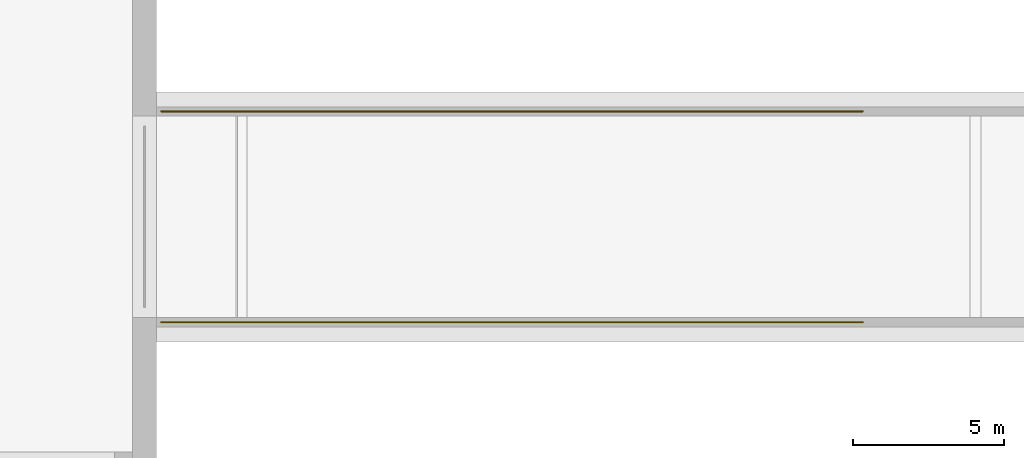
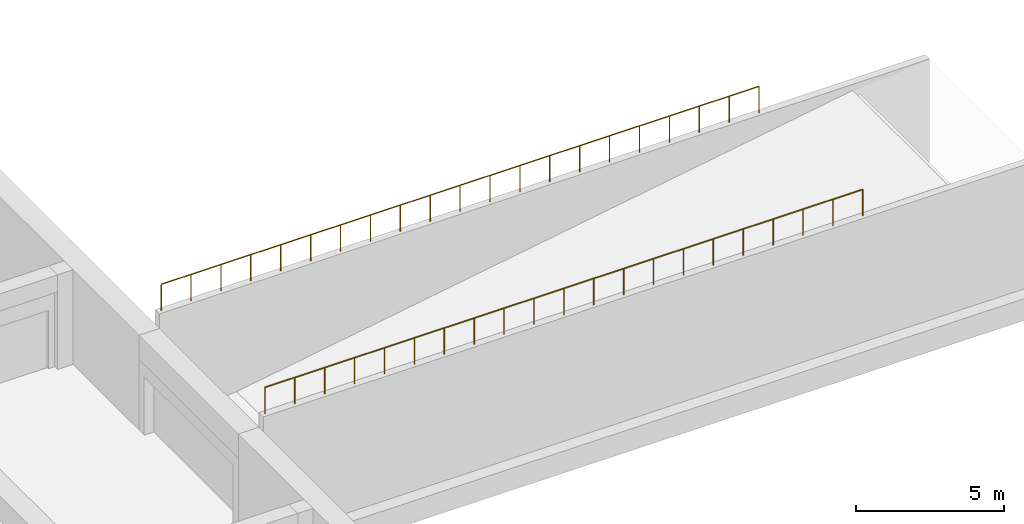
# One storey, part 21 of 23: 2 railings.
"""IFC4 building model written with IfcOpenShell, lengths in metres."""

from ifc_helpers import new_model, si_unit, direction, frame, origin, origin_2d, place, context, subcontext, project, spatial, circle, extrude, material, type_object, element, save


model = new_model("IFC4")

# Units and contexts
model_context = context("Model", 3, precision=1e-05, world=origin(), true_north=direction((0.0, 1.0)))
body_context = subcontext(model_context, "Body", "Model", "MODEL_VIEW")
ifc_project = project(units=[si_unit("LENGTHUNIT", "METRE"), si_unit("AREAUNIT", "SQUARE_METRE"), si_unit("VOLUMEUNIT", "CUBIC_METRE"), si_unit("PLANEANGLEUNIT", "RADIAN"), si_unit("MASSUNIT", "GRAM", prefix="KILO")], contexts=[model_context])

# Site, building, storey
site_placement = place(None, origin())
site = spatial("IfcSite", under=ifc_project, at=site_placement, CompositionType="ELEMENT")
building_placement = place(site_placement, origin())
building = spatial("IfcBuilding", under=site, at=building_placement, Name="Stone Belt Terrace Tower", CompositionType="ELEMENT")
storey_placement = place(building_placement, frame((0.0, 0.0, -4.5)))
storey = spatial("IfcBuildingStorey", under=building, at=storey_placement, Name="B1", CompositionType="ELEMENT", Elevation=-4.5)

# Railings
ifc_material = material(Name="Structural steel C345", Category="steel")
railing_type = type_object("IfcRailingType", Name="Car park guard 1100", PredefinedType="GUARDRAIL", material=ifc_material)
railing_1_placement = place(storey_placement, frame((56.93994140625, -29.60009765625, 4.5)))
element("IfcRailing", 1, at=railing_1_placement, inside=storey, type_object=railing_type, Name="Entrance ramp guard", PredefinedType="GUARDRAIL", context=body_context, shape_type="SweptSolid", body=[
    extrude(circle(Radius=0.02392578125, at=origin_2d()), frame((0.0, 0.0, 1.076171875), z_axis=(-1.0, 0.0, 0.0), x_axis=(0.0, -1.0, 0.0)), (0.0, 0.0, 1.0), 23.2900390625),
    extrude(circle(Radius=0.02099609375, at=origin_2d()), origin(), (0.0, 0.0, 1.0), 1.052001953125),
    extrude(circle(Radius=0.02099609375, at=origin_2d()), frame((-1.16455078125, 0.0, 0.0)), (0.0, 0.0, 1.0), 1.052001953125),
    extrude(circle(Radius=0.02099609375, at=origin_2d()), frame((-2.3291015625, 0.0, 0.0)), (0.0, 0.0, 1.0), 1.052001953125),
    extrude(circle(Radius=0.02099609375, at=origin_2d()), frame((-3.493408203125, 0.0, 0.0)), (0.0, 0.0, 1.0), 1.052001953125),
    extrude(circle(Radius=0.02099609375, at=origin_2d()), frame((-4.657958984375, 0.0, 0.0)), (0.0, 0.0, 1.0), 1.052001953125),
    extrude(circle(Radius=0.02099609375, at=origin_2d()), frame((-5.822509765625, 0.0, 0.0)), (0.0, 0.0, 1.0), 1.052001953125),
    extrude(circle(Radius=0.02099609375, at=origin_2d()), frame((-6.987060546875, 0.0, 0.0)), (0.0, 0.0, 1.0), 1.052001953125),
    extrude(circle(Radius=0.02099609375, at=origin_2d()), frame((-8.151611328125, 0.0, 0.0)), (0.0, 0.0, 1.0), 1.052001953125),
    extrude(circle(Radius=0.02099609375, at=origin_2d()), frame((-9.31591796875, 0.0, 0.0)), (0.0, 0.0, 1.0), 1.052001953125),
    extrude(circle(Radius=0.02099609375, at=origin_2d()), frame((-10.48046875, 0.0, 0.0)), (0.0, 0.0, 1.0), 1.052001953125),
    extrude(circle(Radius=0.02099609375, at=origin_2d()), frame((-11.64501953125, 0.0, 0.0)), (0.0, 0.0, 1.0), 1.052001953125),
    extrude(circle(Radius=0.02099609375, at=origin_2d()), frame((-12.8095703125, 0.0, 0.0)), (0.0, 0.0, 1.0), 1.052001953125),
    extrude(circle(Radius=0.02099609375, at=origin_2d()), frame((-13.97412109375, 0.0, 0.0)), (0.0, 0.0, 1.0), 1.052001953125),
    extrude(circle(Radius=0.02099609375, at=origin_2d()), frame((-15.138427734375, 0.0, 0.0)), (0.0, 0.0, 1.0), 1.052001953125),
    extrude(circle(Radius=0.02099609375, at=origin_2d()), frame((-16.302978515625, 0.0, 0.0)), (0.0, 0.0, 1.0), 1.052001953125),
    extrude(circle(Radius=0.02099609375, at=origin_2d()), frame((-17.467529296875, 0.0, 0.0)), (0.0, 0.0, 1.0), 1.052001953125),
    extrude(circle(Radius=0.02099609375, at=origin_2d()), frame((-18.632080078125, 0.0, 0.0)), (0.0, 0.0, 1.0), 1.052001953125),
    extrude(circle(Radius=0.02099609375, at=origin_2d()), frame((-19.796630859375, 0.0, 0.0)), (0.0, 0.0, 1.0), 1.052001953125),
    extrude(circle(Radius=0.02099609375, at=origin_2d()), frame((-20.9609375, 0.0, 0.0)), (0.0, 0.0, 1.0), 1.052001953125),
    extrude(circle(Radius=0.02099609375, at=origin_2d()), frame((-22.12548828125, 0.0, 0.0)), (0.0, 0.0, 1.0), 1.052001953125),
    extrude(circle(Radius=0.02099609375, at=origin_2d()), frame((-23.2900390625, 0.0, 0.0)), (0.0, 0.0, 1.0), 1.052001953125),
])
railing_2_placement = place(storey_placement, frame((56.93994140625, -22.60009765625, 4.5)))
element("IfcRailing", 2, at=railing_2_placement, inside=storey, type_object=railing_type, Name="Entrance ramp guard", PredefinedType="GUARDRAIL", context=body_context, shape_type="SweptSolid", body=[
    extrude(circle(Radius=0.02392578125, at=origin_2d()), frame((0.0, 0.0, 1.076171875), z_axis=(-1.0, 0.0, 0.0), x_axis=(0.0, -1.0, 0.0)), (0.0, 0.0, 1.0), 23.2900390625),
    extrude(circle(Radius=0.02099609375, at=origin_2d()), origin(), (0.0, 0.0, 1.0), 1.052001953125),
    extrude(circle(Radius=0.02099609375, at=origin_2d()), frame((-1.16455078125, 0.0, 0.0)), (0.0, 0.0, 1.0), 1.052001953125),
    extrude(circle(Radius=0.02099609375, at=origin_2d()), frame((-2.3291015625, 0.0, 0.0)), (0.0, 0.0, 1.0), 1.052001953125),
    extrude(circle(Radius=0.02099609375, at=origin_2d()), frame((-3.493408203125, 0.0, 0.0)), (0.0, 0.0, 1.0), 1.052001953125),
    extrude(circle(Radius=0.02099609375, at=origin_2d()), frame((-4.657958984375, 0.0, 0.0)), (0.0, 0.0, 1.0), 1.052001953125),
    extrude(circle(Radius=0.02099609375, at=origin_2d()), frame((-5.822509765625, 0.0, 0.0)), (0.0, 0.0, 1.0), 1.052001953125),
    extrude(circle(Radius=0.02099609375, at=origin_2d()), frame((-6.987060546875, 0.0, 0.0)), (0.0, 0.0, 1.0), 1.052001953125),
    extrude(circle(Radius=0.02099609375, at=origin_2d()), frame((-8.151611328125, 0.0, 0.0)), (0.0, 0.0, 1.0), 1.052001953125),
    extrude(circle(Radius=0.02099609375, at=origin_2d()), frame((-9.31591796875, 0.0, 0.0)), (0.0, 0.0, 1.0), 1.052001953125),
    extrude(circle(Radius=0.02099609375, at=origin_2d()), frame((-10.48046875, 0.0, 0.0)), (0.0, 0.0, 1.0), 1.052001953125),
    extrude(circle(Radius=0.02099609375, at=origin_2d()), frame((-11.64501953125, 0.0, 0.0)), (0.0, 0.0, 1.0), 1.052001953125),
    extrude(circle(Radius=0.02099609375, at=origin_2d()), frame((-12.8095703125, 0.0, 0.0)), (0.0, 0.0, 1.0), 1.052001953125),
    extrude(circle(Radius=0.02099609375, at=origin_2d()), frame((-13.97412109375, 0.0, 0.0)), (0.0, 0.0, 1.0), 1.052001953125),
    extrude(circle(Radius=0.02099609375, at=origin_2d()), frame((-15.138427734375, 0.0, 0.0)), (0.0, 0.0, 1.0), 1.052001953125),
    extrude(circle(Radius=0.02099609375, at=origin_2d()), frame((-16.302978515625, 0.0, 0.0)), (0.0, 0.0, 1.0), 1.052001953125),
    extrude(circle(Radius=0.02099609375, at=origin_2d()), frame((-17.467529296875, 0.0, 0.0)), (0.0, 0.0, 1.0), 1.052001953125),
    extrude(circle(Radius=0.02099609375, at=origin_2d()), frame((-18.632080078125, 0.0, 0.0)), (0.0, 0.0, 1.0), 1.052001953125),
    extrude(circle(Radius=0.02099609375, at=origin_2d()), frame((-19.796630859375, 0.0, 0.0)), (0.0, 0.0, 1.0), 1.052001953125),
    extrude(circle(Radius=0.02099609375, at=origin_2d()), frame((-20.9609375, 0.0, 0.0)), (0.0, 0.0, 1.0), 1.052001953125),
    extrude(circle(Radius=0.02099609375, at=origin_2d()), frame((-22.12548828125, 0.0, 0.0)), (0.0, 0.0, 1.0), 1.052001953125),
    extrude(circle(Radius=0.02099609375, at=origin_2d()), frame((-23.2900390625, 0.0, 0.0)), (0.0, 0.0, 1.0), 1.052001953125),
])

save(model, "model.ifc")
